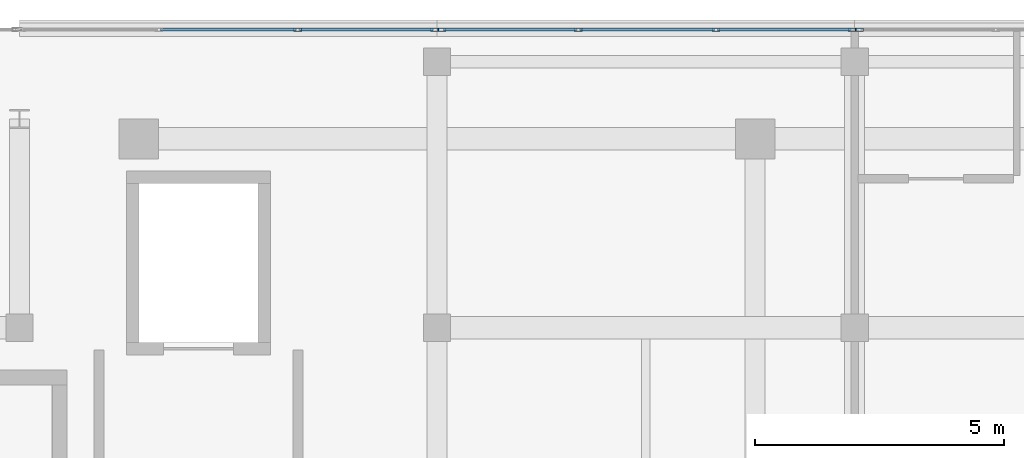
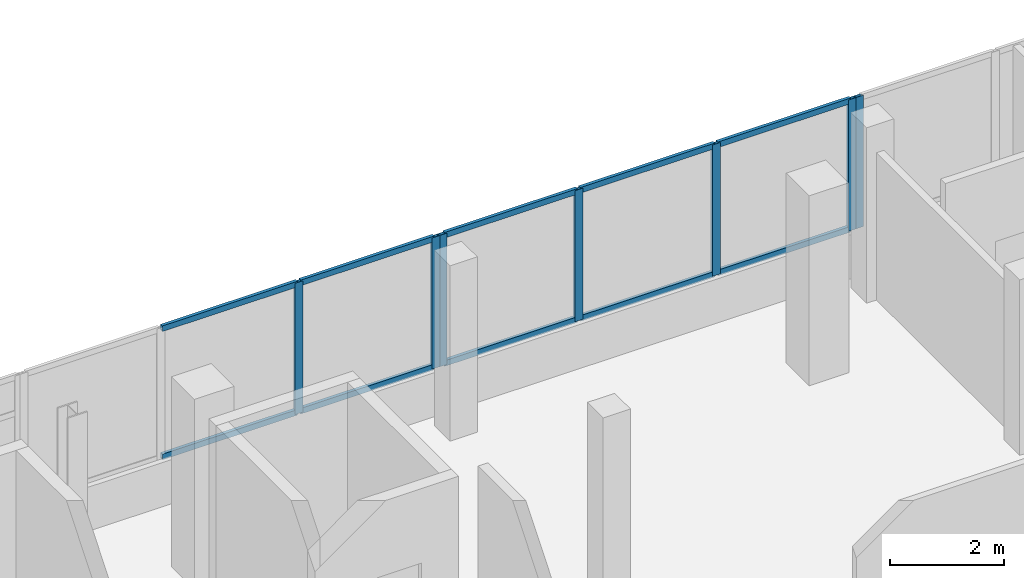
# One storey, part 25 of 67: 17 members, 3 elements without a shape of their own.
"""IFC4 building model written with IfcOpenShell, lengths in metres."""

from ifc_helpers import new_model, si_unit, direction, frame, origin, origin_2d, place, context, subcontext, project, spatial, hollow_rectangle, extrude, material, material_profile, profile_set, type_object, element, aggregate, save


model = new_model("IFC4")

# Units and contexts
model_context = context("Model", 3, precision=1e-05, world=origin(), true_north=direction((0.0, 1.0)))
body_context = subcontext(model_context, "Body", "Model", "MODEL_VIEW")
ifc_project = project(units=[si_unit("LENGTHUNIT", "METRE"), si_unit("AREAUNIT", "SQUARE_METRE"), si_unit("VOLUMEUNIT", "CUBIC_METRE"), si_unit("PLANEANGLEUNIT", "RADIAN"), si_unit("MASSUNIT", "GRAM", prefix="KILO")], contexts=[model_context])

# Site, building, storey
site_placement = place(None, origin())
site = spatial("IfcSite", under=ifc_project, at=site_placement, CompositionType="ELEMENT")
building_placement = place(site_placement, origin())
building = spatial("IfcBuilding", under=site, at=building_placement, Name="Selatvlak General Hospital", CompositionType="ELEMENT")
storey_placement = place(building_placement, frame((0.0, 0.0, 35.39990234375)))
storey = spatial("IfcBuildingStorey", under=building, at=storey_placement, Name="L08", CompositionType="ELEMENT", Elevation=35.39990234375)

# Curtain wall, members
ifc_material_1 = material(Name="Solar-control Low-E double glazing", Category="glass")
curtain_wall_type_1 = type_object("IfcCurtainWallType", Name="CW-CW-01", PredefinedType="USERDEFINED", material=ifc_material_1)
curtain_wall_1_placement = place(storey_placement, origin())
curtain_wall_1 = element("IfcCurtainWall", 1, at=curtain_wall_1_placement, inside=storey, type_object=curtain_wall_type_1, Name="Glazed facade curtain wall CW-L08-0686", ObjectType="UNITISED CURTAIN WALL", PredefinedType="USERDEFINED")
ifc_material_2 = material(Name="Dark anodised aluminium mullion", Category="aluminium")
ifc_material_profile_1 = material_profile(ifc_material_2, hollow_rectangle(XDim=0.06494140625, YDim=0.159912109375, WallThickness=0.00390625, at=origin_2d()), Name="AL-MUL 65x160x4")
ifc_profile_set_1 = profile_set([ifc_material_profile_1], Name="Dark anodised aluminium mullion")
member_type_1 = type_object("IfcMemberType", Name="CWM-01", PredefinedType="MULLION", material=ifc_profile_set_1)
member_1_placement = place(storey_placement, frame((61.9951171875, 119.9990234375, 0.940185546875), z_axis=(0.0, 0.0, 1.0), x_axis=(0.0, 1.0, 0.0)))
member_1 = element("IfcMember", 2, at=member_1_placement, type_object=member_type_1, Name="CW-01 mullion 3", PredefinedType="MULLION", context=body_context, shape_type="SweptSolid", body=[
    extrude(hollow_rectangle(XDim=0.06494140625, YDim=0.159912109375, WallThickness=0.00390625, at=origin_2d()), origin(), (0.0, 0.0, 1.0), 2.7998046875),
])
member_2_placement = place(storey_placement, frame((64.75244140625, 119.9990234375, 0.940185546875), z_axis=(0.0, 0.0, 1.0), x_axis=(0.0, 1.0, 0.0)))
member_2 = element("IfcMember", 3, at=member_2_placement, type_object=member_type_1, Name="CW-01 mullion 4", PredefinedType="MULLION", context=body_context, shape_type="SweptSolid", body=[
    extrude(hollow_rectangle(XDim=0.06494140625, YDim=0.159912109375, WallThickness=0.00390625, at=origin_2d()), origin(), (0.0, 0.0, 1.0), 2.7998046875),
])

curtain_wall_type_2 = type_object("IfcCurtainWallType", Name="CW-CW-02", PredefinedType="USERDEFINED", material=ifc_material_1)
curtain_wall_2_placement = place(storey_placement, origin())
curtain_wall_2 = element("IfcCurtainWall", 4, at=curtain_wall_2_placement, inside=storey, type_object=curtain_wall_type_2, Name="Glazed facade curtain wall CW-L08-0687", ObjectType="UNITISED CURTAIN WALL", PredefinedType="USERDEFINED")
member_3_placement = place(storey_placement, frame((64.8974609375, 119.9990234375, 0.940185546875), z_axis=(0.0, 0.0, 1.0), x_axis=(0.0, 1.0, 0.0)))
member_3 = element("IfcMember", 5, at=member_3_placement, type_object=member_type_1, Name="CW-02 mullion 1", PredefinedType="MULLION", context=body_context, shape_type="SweptSolid", body=[
    extrude(hollow_rectangle(XDim=0.06494140625, YDim=0.159912109375, WallThickness=0.00390625, at=origin_2d()), origin(), (0.0, 0.0, 1.0), 2.7998046875),
])
member_4_placement = place(storey_placement, frame((67.638427734375, 119.9990234375, 0.940185546875), z_axis=(0.0, 0.0, 1.0), x_axis=(0.0, 1.0, 0.0)))
member_4 = element("IfcMember", 6, at=member_4_placement, type_object=member_type_1, Name="CW-02 mullion 2", PredefinedType="MULLION", context=body_context, shape_type="SweptSolid", body=[
    extrude(hollow_rectangle(XDim=0.06494140625, YDim=0.159912109375, WallThickness=0.00390625, at=origin_2d()), origin(), (0.0, 0.0, 1.0), 2.7998046875),
])
member_5_placement = place(storey_placement, frame((70.41162109375, 119.9990234375, 0.940185546875), z_axis=(0.0, 0.0, 1.0), x_axis=(0.0, 1.0, 0.0)))
member_5 = element("IfcMember", 7, at=member_5_placement, type_object=member_type_1, Name="CW-02 mullion 3", PredefinedType="MULLION", context=body_context, shape_type="SweptSolid", body=[
    extrude(hollow_rectangle(XDim=0.06494140625, YDim=0.159912109375, WallThickness=0.00390625, at=origin_2d()), origin(), (0.0, 0.0, 1.0), 2.7998046875),
])
member_6_placement = place(storey_placement, frame((73.152587890625, 119.9990234375, 0.940185546875), z_axis=(0.0, 0.0, 1.0), x_axis=(0.0, 1.0, 0.0)))
member_6 = element("IfcMember", 8, at=member_6_placement, type_object=member_type_1, Name="CW-02 mullion 4", PredefinedType="MULLION", context=body_context, shape_type="SweptSolid", body=[
    extrude(hollow_rectangle(XDim=0.06494140625, YDim=0.159912109375, WallThickness=0.00390625, at=origin_2d()), origin(), (0.0, 0.0, 1.0), 2.7998046875),
])

# Curtain wall, member
curtain_wall_3_placement = place(storey_placement, origin())
curtain_wall_3 = element("IfcCurtainWall", 9, at=curtain_wall_3_placement, inside=storey, type_object=curtain_wall_type_1, Name="Glazed facade curtain wall CW-L08-0688", ObjectType="UNITISED CURTAIN WALL", PredefinedType="USERDEFINED")
member_7_placement = place(storey_placement, frame((73.297607421875, 119.9990234375, 0.940185546875), z_axis=(0.0, 0.0, 1.0), x_axis=(0.0, 1.0, 0.0)))
member_7 = element("IfcMember", 10, at=member_7_placement, type_object=member_type_1, Name="CW-01 mullion 1", PredefinedType="MULLION", context=body_context, shape_type="SweptSolid", body=[
    extrude(hollow_rectangle(XDim=0.06494140625, YDim=0.159912109375, WallThickness=0.00390625, at=origin_2d()), origin(), (0.0, 0.0, 1.0), 2.7998046875),
])
aggregate(curtain_wall_3, [member_7])

# Member
ifc_material_profile_2 = material_profile(ifc_material_2, hollow_rectangle(XDim=0.06494140625, YDim=0.1201171875, WallThickness=0.00390625, at=origin_2d()), Name="AL-TRN 65x120x4")
ifc_profile_set_2 = profile_set([ifc_material_profile_2], Name="Dark anodised aluminium mullion")
member_type_2 = type_object("IfcMemberType", Name="CWT-01", PredefinedType="USERDEFINED", material=ifc_profile_set_2)
member_8_placement = place(storey_placement, frame((59.237548828125, 119.9990234375, 0.97265625), z_axis=(1.0, 0.0, 0.0), x_axis=(0.0, 1.0, 0.0)))
member_8 = element("IfcMember", 11, at=member_8_placement, type_object=member_type_2, Name="CW-01 transom 2.1", ObjectType="TRANSOM", PredefinedType="USERDEFINED", context=body_context, shape_type="SweptSolid", body=[
    extrude(hollow_rectangle(XDim=0.06494140625, YDim=0.1201171875, WallThickness=0.00390625, at=origin_2d()), origin(), (0.0, 0.0, 1.0), 2.724853515625),
])

member_9_placement = place(storey_placement, frame((59.237548828125, 119.9990234375, 3.70751953125), z_axis=(1.0, 0.0, 0.0), x_axis=(0.0, 1.0, 0.0)))
member_9 = element("IfcMember", 12, at=member_9_placement, type_object=member_type_2, Name="CW-01 transom 2.2", ObjectType="TRANSOM", PredefinedType="USERDEFINED", context=body_context, shape_type="SweptSolid", body=[
    extrude(hollow_rectangle(XDim=0.06494140625, YDim=0.1201171875, WallThickness=0.00390625, at=origin_2d()), origin(), (0.0, 0.0, 1.0), 2.724853515625),
])

member_10_placement = place(storey_placement, frame((62.027587890625, 119.9990234375, 0.97265625), z_axis=(1.0, 0.0, 0.0), x_axis=(0.0, 1.0, 0.0)))
member_10 = element("IfcMember", 13, at=member_10_placement, type_object=member_type_2, Name="CW-01 transom 3.1", ObjectType="TRANSOM", PredefinedType="USERDEFINED", context=body_context, shape_type="SweptSolid", body=[
    extrude(hollow_rectangle(XDim=0.06494140625, YDim=0.1201171875, WallThickness=0.00390625, at=origin_2d()), origin(), (0.0, 0.0, 1.0), 2.6923828125),
])

member_11_placement = place(storey_placement, frame((62.027587890625, 119.9990234375, 3.70751953125), z_axis=(1.0, 0.0, 0.0), x_axis=(0.0, 1.0, 0.0)))
member_11 = element("IfcMember", 14, at=member_11_placement, type_object=member_type_2, Name="CW-01 transom 3.2", ObjectType="TRANSOM", PredefinedType="USERDEFINED", context=body_context, shape_type="SweptSolid", body=[
    extrude(hollow_rectangle(XDim=0.06494140625, YDim=0.1201171875, WallThickness=0.00390625, at=origin_2d()), origin(), (0.0, 0.0, 1.0), 2.6923828125),
])

aggregate(curtain_wall_1, [member_1, member_2, member_8, member_9, member_10, member_11])

member_12_placement = place(storey_placement, frame((64.929931640625, 119.9990234375, 0.97265625), z_axis=(1.0, 0.0, 0.0), x_axis=(0.0, 1.0, 0.0)))
member_12 = element("IfcMember", 15, at=member_12_placement, type_object=member_type_2, Name="CW-02 transom 1.1", ObjectType="TRANSOM", PredefinedType="USERDEFINED", context=body_context, shape_type="SweptSolid", body=[
    extrude(hollow_rectangle(XDim=0.06494140625, YDim=0.1201171875, WallThickness=0.00390625, at=origin_2d()), origin(), (0.0, 0.0, 1.0), 2.67578125),
])

member_13_placement = place(storey_placement, frame((64.929931640625, 119.9990234375, 3.70751953125), z_axis=(1.0, 0.0, 0.0), x_axis=(0.0, 1.0, 0.0)))
member_13 = element("IfcMember", 16, at=member_13_placement, type_object=member_type_2, Name="CW-02 transom 1.2", ObjectType="TRANSOM", PredefinedType="USERDEFINED", context=body_context, shape_type="SweptSolid", body=[
    extrude(hollow_rectangle(XDim=0.06494140625, YDim=0.1201171875, WallThickness=0.00390625, at=origin_2d()), origin(), (0.0, 0.0, 1.0), 2.67578125),
])

member_14_placement = place(storey_placement, frame((67.6708984375, 119.9990234375, 0.97265625), z_axis=(1.0, 0.0, 0.0), x_axis=(0.0, 1.0, 0.0)))
member_14 = element("IfcMember", 17, at=member_14_placement, type_object=member_type_2, Name="CW-02 transom 2.1", ObjectType="TRANSOM", PredefinedType="USERDEFINED", context=body_context, shape_type="SweptSolid", body=[
    extrude(hollow_rectangle(XDim=0.06494140625, YDim=0.1201171875, WallThickness=0.00390625, at=origin_2d()), origin(), (0.0, 0.0, 1.0), 2.708251953125),
])

member_15_placement = place(storey_placement, frame((67.6708984375, 119.9990234375, 3.70751953125), z_axis=(1.0, 0.0, 0.0), x_axis=(0.0, 1.0, 0.0)))
member_15 = element("IfcMember", 18, at=member_15_placement, type_object=member_type_2, Name="CW-02 transom 2.2", ObjectType="TRANSOM", PredefinedType="USERDEFINED", context=body_context, shape_type="SweptSolid", body=[
    extrude(hollow_rectangle(XDim=0.06494140625, YDim=0.1201171875, WallThickness=0.00390625, at=origin_2d()), origin(), (0.0, 0.0, 1.0), 2.708251953125),
])

member_16_placement = place(storey_placement, frame((70.444091796875, 119.9990234375, 0.97265625), z_axis=(1.0, 0.0, 0.0), x_axis=(0.0, 1.0, 0.0)))
member_16 = element("IfcMember", 19, at=member_16_placement, type_object=member_type_2, Name="CW-02 transom 3.1", ObjectType="TRANSOM", PredefinedType="USERDEFINED", context=body_context, shape_type="SweptSolid", body=[
    extrude(hollow_rectangle(XDim=0.06494140625, YDim=0.1201171875, WallThickness=0.00390625, at=origin_2d()), origin(), (0.0, 0.0, 1.0), 2.676025390625),
])

member_17_placement = place(storey_placement, frame((70.444091796875, 119.9990234375, 3.70751953125), z_axis=(1.0, 0.0, 0.0), x_axis=(0.0, 1.0, 0.0)))
member_17 = element("IfcMember", 20, at=member_17_placement, type_object=member_type_2, Name="CW-02 transom 3.2", ObjectType="TRANSOM", PredefinedType="USERDEFINED", context=body_context, shape_type="SweptSolid", body=[
    extrude(hollow_rectangle(XDim=0.06494140625, YDim=0.1201171875, WallThickness=0.00390625, at=origin_2d()), origin(), (0.0, 0.0, 1.0), 2.676025390625),
])

aggregate(curtain_wall_2, [member_3, member_4, member_5, member_6, member_12, member_13, member_14, member_15, member_16, member_17])

save(model, "model.ifc")
